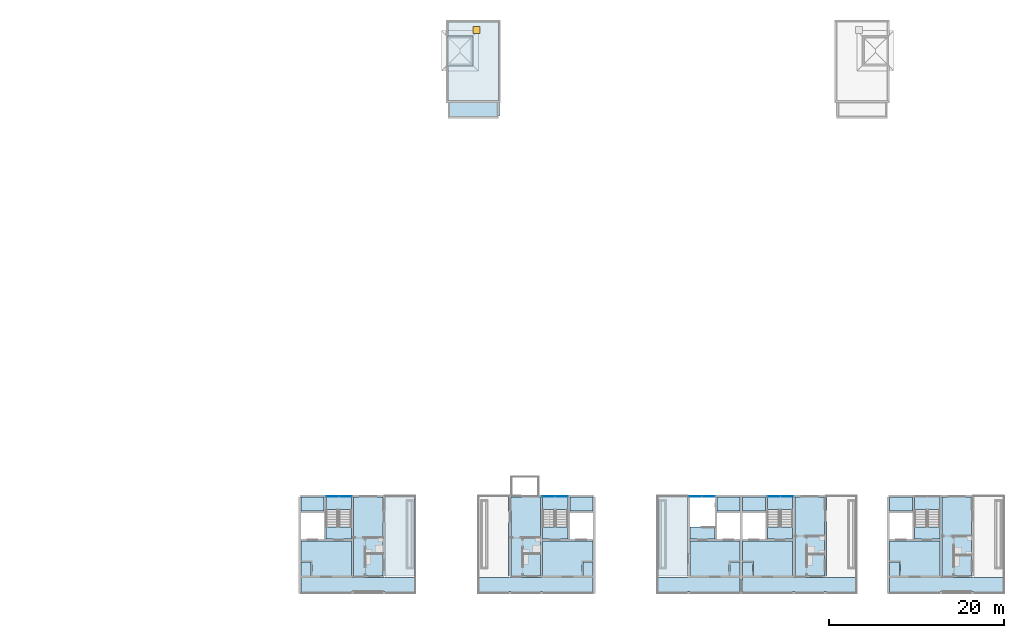
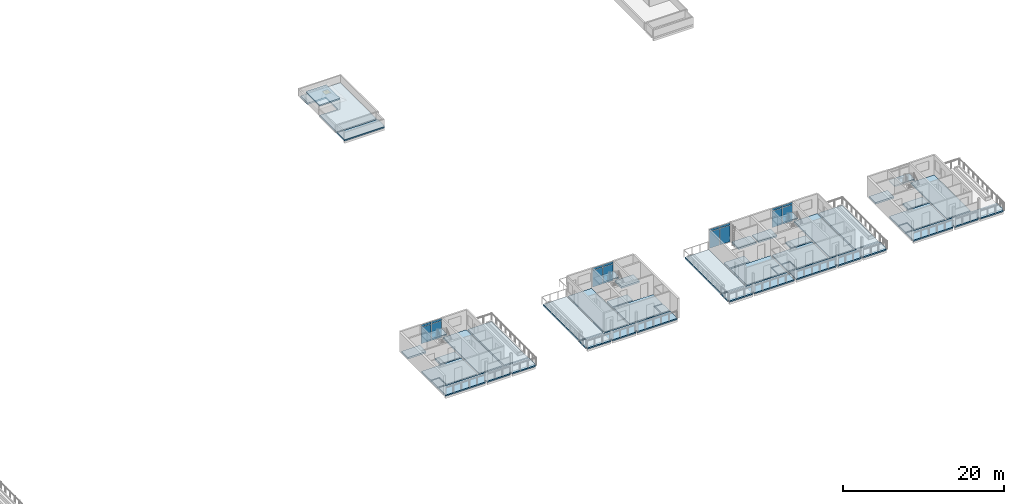
# One storey, part 16 of 41: 40 slabs, 16 plates, 1 door, 1 opening, 8 elements without a shape of their own.
"""IFC4 building model written with IfcOpenShell, lengths in metres."""

from ifc_helpers import new_model, si_unit, direction, frame, origin, origin_2d, place, context, subcontext, project, spatial, polyline, rectangle, outline, extrude, material, layer, layer_set, type_object, element, fill, aggregate, save


model = new_model("IFC4")

# Units and contexts
model_context = context("Model", 3, precision=1e-05, world=origin(), true_north=direction((0.0, 1.0)))
body_context = subcontext(model_context, "Body", "Model", "MODEL_VIEW")
ifc_project = project(units=[si_unit("LENGTHUNIT", "METRE"), si_unit("AREAUNIT", "SQUARE_METRE"), si_unit("VOLUMEUNIT", "CUBIC_METRE"), si_unit("PLANEANGLEUNIT", "RADIAN"), si_unit("MASSUNIT", "GRAM", prefix="KILO")], contexts=[model_context])

# Site, building, storey
site_placement = place(None, origin())
site = spatial("IfcSite", under=ifc_project, at=site_placement, CompositionType="ELEMENT")
building_placement = place(site_placement, origin())
building = spatial("IfcBuilding", under=site, at=building_placement, Name="Ridgestep Commons", CompositionType="ELEMENT")
storey_placement = place(building_placement, frame((0.0, 0.0, 39.0)))
storey = spatial("IfcBuildingStorey", under=building, at=storey_placement, Name="L13", CompositionType="ELEMENT", Elevation=39.0)

# Slabs
ifc_material_1 = material(Name="Precast concrete C40/50", Category="concrete")
ifc_layer_1 = layer(ifc_material_1, 0.199951171875)
ifc_layer_set_1 = layer_set([ifc_layer_1], Name="Gallery roof slab 200")
slab_type_1 = type_object("IfcSlabType", Name="Gallery roof slab 200", PredefinedType="ROOF", material=ifc_layer_set_1)
slab_1_placement = place(storey_placement, frame((0.0, 0.0, -0.199951171875)))
element("IfcSlab", 1, at=slab_1_placement, inside=storey, type_object=slab_type_1, Name="Gallery slab C3 L13", PredefinedType="ROOF", context=body_context, shape_type="SweptSolid", body=[
    extrude(outline(polyline([(180.550048828125, 66.0), (186.27490234375, 66.0), (186.27490234375, 66.25), (186.39990234375, 66.25), (186.39990234375, 67.800048828125), (180.550048828125, 67.800048828125), (180.550048828125, 66.0)])), origin(), (0.0, 0.0, 1.0), 0.199951171875),
])
ifc_material_2 = material(Name="Precast concrete C40/50", Category="concrete")
ifc_layer_2 = layer(ifc_material_2, 0.199951171875)
ifc_layer_set_2 = layer_set([ifc_layer_2], Name="Gallery slab 200")
slab_type_2 = type_object("IfcSlabType", Name="Gallery slab 200", PredefinedType="FLOOR", material=ifc_layer_set_2)
slab_2_placement = place(storey_placement, frame((0.0, 0.0, -0.199951171875)))
element("IfcSlab", 2, at=slab_2_placement, inside=storey, type_object=slab_type_2, Name="Gallery slab D2 L13", PredefinedType="FLOOR", context=body_context, shape_type="SweptSolid", body=[
    extrude(outline(polyline([(176.800048828125, 13.550048828125), (163.75, 13.550048828125), (163.75, 11.75), (169.47509765625, 11.75), (169.47509765625, 12.0), (169.72509765625, 12.0), (169.72509765625, 11.75), (173.074951171875, 11.75), (173.074951171875, 12.0), (173.324951171875, 12.0), (173.324951171875, 11.75), (176.675048828125, 11.75), (176.675048828125, 12.0), (176.800048828125, 12.0), (176.800048828125, 13.550048828125)])), origin(), (0.0, 0.0, 1.0), 0.199951171875),
])
slab_3_placement = place(storey_placement, frame((0.0, 0.0, -0.199951171875)))
element("IfcSlab", 3, at=slab_3_placement, inside=storey, type_object=slab_type_2, Name="Gallery slab D3 L13", PredefinedType="FLOOR", context=body_context, shape_type="SweptSolid", body=[
    extrude(outline(polyline([(197.050048828125, 11.75), (197.050048828125, 13.550048828125), (184.0, 13.550048828125), (184.0, 12.0), (184.125, 12.0), (184.125, 11.75), (187.47509765625, 11.75), (187.47509765625, 12.0), (187.72509765625, 12.0), (187.72509765625, 11.75), (191.074951171875, 11.75), (191.074951171875, 12.0), (191.324951171875, 12.0), (191.324951171875, 11.75), (197.050048828125, 11.75)])), origin(), (0.0, 0.0, 1.0), 0.199951171875),
])
slab_4_placement = place(storey_placement, frame((0.0, 0.0, -0.199951171875)))
element("IfcSlab", 4, at=slab_4_placement, inside=storey, type_object=slab_type_2, Name="Gallery slab D4 L13", PredefinedType="FLOOR", context=body_context, shape_type="SweptSolid", body=[
    extrude(outline(polyline([(213.85009765625, 13.550048828125), (204.39990234375, 13.550048828125), (204.39990234375, 12.0), (204.52490234375, 12.0), (204.52490234375, 11.75), (207.875, 11.75), (207.875, 12.0), (208.125, 12.0), (208.125, 11.75), (213.85009765625, 11.75), (213.85009765625, 13.550048828125)])), origin(), (0.0, 0.0, 1.0), 0.199951171875),
])
slab_5_placement = place(storey_placement, frame((0.0, 0.0, -0.199951171875)))
element("IfcSlab", 5, at=slab_5_placement, inside=storey, type_object=slab_type_2, Name="Gallery slab D5 L13", PredefinedType="FLOOR", context=body_context, shape_type="SweptSolid", body=[
    extrude(outline(polyline([(227.199951171875, 13.550048828125), (214.14990234375, 13.550048828125), (214.14990234375, 11.75), (219.875, 11.75), (219.875, 12.0), (220.125, 12.0), (220.125, 11.75), (223.47509765625, 11.75), (223.47509765625, 12.0), (223.72509765625, 12.0), (223.72509765625, 11.75), (227.074951171875, 11.75), (227.074951171875, 12.0), (227.199951171875, 12.0), (227.199951171875, 13.550048828125)])), origin(), (0.0, 0.0, 1.0), 0.199951171875),
])
slab_6_placement = place(storey_placement, frame((0.0, 0.0, -0.199951171875)))
element("IfcSlab", 6, at=slab_6_placement, inside=storey, type_object=slab_type_2, Name="Gallery slab D6 L13", PredefinedType="FLOOR", context=body_context, shape_type="SweptSolid", body=[
    extrude(outline(polyline([(244.0, 13.550048828125), (230.949951171875, 13.550048828125), (230.949951171875, 11.75), (236.675048828125, 11.75), (236.675048828125, 12.0), (236.925048828125, 12.0), (236.925048828125, 11.75), (240.27490234375, 11.75), (240.27490234375, 12.0), (240.52490234375, 12.0), (240.52490234375, 11.75), (243.875, 11.75), (243.875, 12.0), (244.0, 12.0), (244.0, 13.550048828125)])), origin(), (0.0, 0.0, 1.0), 0.199951171875),
])

# Curtain wall, plates
ifc_material_3 = material(Name="Aluminium 6063-T6 and glass", Category="aluminium")
curtain_wall_type = type_object("IfcCurtainWallType", Name="Curtain wall stair strip", PredefinedType="NOTDEFINED", material=ifc_material_3)
curtain_wall_1_placement = place(storey_placement, origin())
curtain_wall_1 = element("IfcCurtainWall", 7, at=curtain_wall_1_placement, inside=storey, type_object=curtain_wall_type, Name="Curtain wall D2C level 13", PredefinedType="NOTDEFINED")
ifc_material_4 = material(Name="Glass laminated 6/16/6 low-emissivity", Category="glass")
ifc_layer_3 = layer(ifc_material_4, 0.028076171875)
ifc_layer_set_3 = layer_set([ifc_layer_3], Name="Glazing panel 28")
plate_type_1 = type_object("IfcPlateType", Name="Glazing panel 28", PredefinedType="CURTAIN_PANEL", material=ifc_layer_set_3)
plate_1_placement = place(storey_placement, frame((167.34619140625, 22.830078125, 0.06005859375), z_axis=(0.0, 0.0, 1.0), x_axis=(1.0, 0.0, 0.0)))
plate_1 = element("IfcPlate", 8, at=plate_1_placement, type_object=plate_type_1, Name="CW1 panel 1.1", PredefinedType="CURTAIN_PANEL", context=body_context, shape_type="SweptSolid", body=[
    extrude(rectangle(XDim=1.422607421875, YDim=0.028076171875, at=origin_2d()), origin(), (0.0, 0.0, 1.0), 2.5),
])
plate_2_placement = place(storey_placement, frame((168.828857421875, 22.830078125, 0.06005859375), z_axis=(0.0, 0.0, 1.0), x_axis=(1.0, 0.0, 0.0)))
plate_2 = element("IfcPlate", 9, at=plate_2_placement, type_object=plate_type_1, Name="CW1 panel 2.1", PredefinedType="CURTAIN_PANEL", context=body_context, shape_type="SweptSolid", body=[
    extrude(rectangle(XDim=1.422607421875, YDim=0.028076171875, at=origin_2d()), origin(), (0.0, 0.0, 1.0), 2.5),
])

curtain_wall_2_placement = place(storey_placement, origin())
curtain_wall_2 = element("IfcCurtainWall", 10, at=curtain_wall_2_placement, inside=storey, type_object=curtain_wall_type, Name="Curtain wall D3C level 13", PredefinedType="NOTDEFINED")
plate_3_placement = place(storey_placement, frame((191.97119140625, 22.830078125, 0.06005859375), z_axis=(0.0, 0.0, 1.0), x_axis=(1.0, 0.0, 0.0)))
plate_3 = element("IfcPlate", 11, at=plate_3_placement, type_object=plate_type_1, Name="CW1 panel 1.1", PredefinedType="CURTAIN_PANEL", context=body_context, shape_type="SweptSolid", body=[
    extrude(rectangle(XDim=1.422607421875, YDim=0.028076171875, at=origin_2d()), origin(), (0.0, 0.0, 1.0), 2.5),
])
plate_4_placement = place(storey_placement, frame((193.453857421875, 22.830078125, 0.06005859375), z_axis=(0.0, 0.0, 1.0), x_axis=(1.0, 0.0, 0.0)))
plate_4 = element("IfcPlate", 12, at=plate_4_placement, type_object=plate_type_1, Name="CW1 panel 2.1", PredefinedType="CURTAIN_PANEL", context=body_context, shape_type="SweptSolid", body=[
    extrude(rectangle(XDim=1.422607421875, YDim=0.028076171875, at=origin_2d()), origin(), (0.0, 0.0, 1.0), 2.5),
])

curtain_wall_3_placement = place(storey_placement, origin())
curtain_wall_3 = element("IfcCurtainWall", 13, at=curtain_wall_3_placement, inside=storey, type_object=curtain_wall_type, Name="Curtain wall D4C level 13", PredefinedType="NOTDEFINED")
plate_5_placement = place(storey_placement, frame((208.771240234375, 22.830078125, 0.06005859375), z_axis=(0.0, 0.0, 1.0), x_axis=(1.0, 0.0, 0.0)))
plate_5 = element("IfcPlate", 14, at=plate_5_placement, type_object=plate_type_1, Name="CW1 panel 1.1", PredefinedType="CURTAIN_PANEL", context=body_context, shape_type="SweptSolid", body=[
    extrude(rectangle(XDim=1.422607421875, YDim=0.028076171875, at=origin_2d()), origin(), (0.0, 0.0, 1.0), 2.5),
])
plate_6_placement = place(storey_placement, frame((210.253662109375, 22.830078125, 0.06005859375), z_axis=(0.0, 0.0, 1.0), x_axis=(1.0, 0.0, 0.0)))
plate_6 = element("IfcPlate", 15, at=plate_6_placement, type_object=plate_type_1, Name="CW1 panel 2.1", PredefinedType="CURTAIN_PANEL", context=body_context, shape_type="SweptSolid", body=[
    extrude(rectangle(XDim=1.422607421875, YDim=0.028076171875, at=origin_2d()), origin(), (0.0, 0.0, 1.0), 2.5),
])

curtain_wall_4_placement = place(storey_placement, origin())
curtain_wall_4 = element("IfcCurtainWall", 16, at=curtain_wall_4_placement, inside=storey, type_object=curtain_wall_type, Name="Curtain wall D5C level 13", PredefinedType="NOTDEFINED")
plate_7_placement = place(storey_placement, frame((217.746337890625, 22.830078125, 0.06005859375), z_axis=(0.0, 0.0, 1.0), x_axis=(1.0, 0.0, 0.0)))
plate_7 = element("IfcPlate", 17, at=plate_7_placement, type_object=plate_type_1, Name="CW1 panel 1.1", PredefinedType="CURTAIN_PANEL", context=body_context, shape_type="SweptSolid", body=[
    extrude(rectangle(XDim=1.422607421875, YDim=0.028076171875, at=origin_2d()), origin(), (0.0, 0.0, 1.0), 2.5),
])
plate_8_placement = place(storey_placement, frame((219.228759765625, 22.830078125, 0.06005859375), z_axis=(0.0, 0.0, 1.0), x_axis=(1.0, 0.0, 0.0)))
plate_8 = element("IfcPlate", 18, at=plate_8_placement, type_object=plate_type_1, Name="CW1 panel 2.1", PredefinedType="CURTAIN_PANEL", context=body_context, shape_type="SweptSolid", body=[
    extrude(rectangle(XDim=1.422607421875, YDim=0.028076171875, at=origin_2d()), origin(), (0.0, 0.0, 1.0), 2.5),
])

# Slabs
ifc_material_5 = material(Name="Precast concrete C50/60", Category="concrete")
ifc_layer_4 = layer(ifc_material_5, 0.199951171875)
ifc_layer_set_4 = layer_set([ifc_layer_4], Name="Hollow-core plank 200")
slab_type_3 = type_object("IfcSlabType", Name="Hollow-core plank 200", PredefinedType="FLOOR", material=ifc_layer_set_4)
slab_7_placement = place(storey_placement, frame((0.0, 0.0, -0.199951171875)))
element("IfcSlab", 19, at=slab_7_placement, inside=storey, type_object=slab_type_3, Name="Floor plank D2T3 L13", PredefinedType="FLOOR", context=body_context, shape_type="SweptSolid", body=[
    extrude(outline(polyline([(173.10009765625, 13.75), (173.10009765625, 22.75), (169.72509765625, 22.75), (169.72509765625, 13.75), (173.10009765625, 13.75)])), origin(), (0.0, 0.0, 1.0), 0.199951171875),
])
slab_8_placement = place(storey_placement, frame((0.0, 0.0, -0.199951171875)))
element("IfcSlab", 20, at=slab_8_placement, inside=storey, type_object=slab_type_3, Name="Floor plank D3T3 L13", PredefinedType="FLOOR", context=body_context, shape_type="SweptSolid", body=[
    extrude(outline(polyline([(191.074951171875, 13.75), (191.074951171875, 22.75), (187.699951171875, 22.75), (187.699951171875, 13.75), (191.074951171875, 13.75)])), origin(), (0.0, 0.0, 1.0), 0.199951171875),
])
slab_9_placement = place(storey_placement, frame((0.0, 0.0, -0.199951171875)))
element("IfcSlab", 21, at=slab_9_placement, inside=storey, type_object=slab_type_3, Name="Floor plank D5T3 L13", PredefinedType="FLOOR", context=body_context, shape_type="SweptSolid", body=[
    extrude(outline(polyline([(223.5, 13.75), (223.5, 22.75), (220.125, 22.75), (220.125, 13.75), (223.5, 13.75)])), origin(), (0.0, 0.0, 1.0), 0.199951171875),
])
slab_10_placement = place(storey_placement, frame((0.0, 0.0, -0.199951171875)))
element("IfcSlab", 22, at=slab_10_placement, inside=storey, type_object=slab_type_3, Name="Floor plank D6T3 L13", PredefinedType="FLOOR", context=body_context, shape_type="SweptSolid", body=[
    extrude(outline(polyline([(240.300048828125, 13.75), (240.300048828125, 22.75), (236.925048828125, 22.75), (236.925048828125, 13.75), (240.300048828125, 13.75)])), origin(), (0.0, 0.0, 1.0), 0.199951171875),
])
ifc_material_6 = material(Name="Precast concrete C50/60", Category="concrete")
ifc_layer_5 = layer(ifc_material_6, 0.25)
ifc_layer_set_5 = layer_set([ifc_layer_5], Name="Hollow-core plank 250")
slab_type_4 = type_object("IfcSlabType", Name="Hollow-core plank 250", PredefinedType="FLOOR", material=ifc_layer_set_5)
slab_11_placement = place(storey_placement, frame((0.0, 0.0, -0.25)))
element("IfcSlab", 23, at=slab_11_placement, inside=storey, type_object=slab_type_4, Name="Floor plank D2C L13", PredefinedType="FLOOR", context=body_context, shape_type="SweptSolid", body=[
    extrude(outline(polyline([(165.0, 13.75), (169.47509765625, 13.75), (169.47509765625, 17.75), (163.75, 17.75), (163.75, 15.469970703125), (164.8798828125, 15.469970703125), (165.0, 15.469970703125), (165.0, 13.75)])), origin(), (0.0, 0.0, 1.0), 0.25),
])
slab_12_placement = place(storey_placement, frame((0.0, 0.0, -0.25)))
element("IfcSlab", 24, at=slab_12_placement, inside=storey, type_object=slab_type_4, Name="Floor plank D2C L13", PredefinedType="FLOOR", context=body_context, shape_type="SweptSolid", body=[
    extrude(outline(polyline([(166.375, 22.75), (163.75, 22.75), (163.75, 21.14990234375), (166.375, 21.14990234375), (166.375, 22.75)])), origin(), (0.0, 0.0, 1.0), 0.25),
])
slab_13_placement = place(storey_placement, frame((0.0, 0.0, -0.25)))
element("IfcSlab", 25, at=slab_13_placement, inside=storey, type_object=slab_type_4, Name="Floor plank D2C L13", PredefinedType="FLOOR", context=body_context, shape_type="SweptSolid", body=[
    extrude(outline(polyline([(169.47509765625, 17.949951171875), (169.47509765625, 19.35009765625), (166.574951171875, 19.35009765625), (166.574951171875, 17.949951171875), (169.47509765625, 17.949951171875)])), origin(), (0.0, 0.0, 1.0), 0.25),
])
slab_14_placement = place(storey_placement, frame((0.0, 0.0, -0.25)))
element("IfcSlab", 26, at=slab_14_placement, inside=storey, type_object=slab_type_4, Name="Floor plank D2C L13", PredefinedType="FLOOR", context=body_context, shape_type="SweptSolid", body=[
    extrude(outline(polyline([(164.8798828125, 15.35009765625), (163.75, 15.35009765625), (163.75, 13.75), (164.8798828125, 13.75), (164.8798828125, 15.35009765625)])), origin(), (0.0, 0.0, 1.0), 0.25),
])
slab_15_placement = place(storey_placement, frame((0.0, 0.0, -0.25)))
element("IfcSlab", 27, at=slab_15_placement, inside=storey, type_object=slab_type_4, Name="Floor plank D3C L13", PredefinedType="FLOOR", context=body_context, shape_type="SweptSolid", body=[
    extrude(outline(polyline([(195.919921875, 15.469970703125), (197.050048828125, 15.469970703125), (197.050048828125, 17.75), (191.324951171875, 17.75), (191.324951171875, 13.75), (195.800048828125, 13.75), (195.800048828125, 15.469970703125), (195.919921875, 15.469970703125)])), origin(), (0.0, 0.0, 1.0), 0.25),
])
slab_16_placement = place(storey_placement, frame((0.0, 0.0, -0.25)))
element("IfcSlab", 28, at=slab_16_placement, inside=storey, type_object=slab_type_4, Name="Floor plank D3C L13", PredefinedType="FLOOR", context=body_context, shape_type="SweptSolid", body=[
    extrude(outline(polyline([(197.050048828125, 21.14990234375), (197.050048828125, 22.75), (194.425048828125, 22.75), (194.425048828125, 21.14990234375), (197.050048828125, 21.14990234375)])), origin(), (0.0, 0.0, 1.0), 0.25),
])
slab_17_placement = place(storey_placement, frame((0.0, 0.0, -0.25)))
element("IfcSlab", 29, at=slab_17_placement, inside=storey, type_object=slab_type_4, Name="Floor plank D3C L13", PredefinedType="FLOOR", context=body_context, shape_type="SweptSolid", body=[
    extrude(outline(polyline([(194.22509765625, 17.949951171875), (194.22509765625, 19.35009765625), (191.324951171875, 19.35009765625), (191.324951171875, 17.949951171875), (194.22509765625, 17.949951171875)])), origin(), (0.0, 0.0, 1.0), 0.25),
])
slab_18_placement = place(storey_placement, frame((0.0, 0.0, -0.25)))
element("IfcSlab", 30, at=slab_18_placement, inside=storey, type_object=slab_type_4, Name="Floor plank D3C L13", PredefinedType="FLOOR", context=body_context, shape_type="SweptSolid", body=[
    extrude(outline(polyline([(195.919921875, 13.75), (197.050048828125, 13.75), (197.050048828125, 15.35009765625), (195.919921875, 15.35009765625), (195.919921875, 13.75)])), origin(), (0.0, 0.0, 1.0), 0.25),
])
slab_19_placement = place(storey_placement, frame((0.0, 0.0, -0.25)))
element("IfcSlab", 31, at=slab_19_placement, inside=storey, type_object=slab_type_4, Name="Floor plank D4C L13", PredefinedType="FLOOR", context=body_context, shape_type="SweptSolid", body=[
    extrude(outline(polyline([(212.719970703125, 15.469970703125), (213.85009765625, 15.469970703125), (213.85009765625, 17.75), (208.125, 17.75), (208.125, 13.75), (212.60009765625, 13.75), (212.60009765625, 15.469970703125), (212.719970703125, 15.469970703125)])), origin(), (0.0, 0.0, 1.0), 0.25),
])
slab_20_placement = place(storey_placement, frame((0.0, 0.0, -0.25)))
element("IfcSlab", 32, at=slab_20_placement, inside=storey, type_object=slab_type_4, Name="Floor plank D4C L13", PredefinedType="FLOOR", context=body_context, shape_type="SweptSolid", body=[
    extrude(outline(polyline([(213.85009765625, 21.14990234375), (213.85009765625, 22.75), (211.22509765625, 22.75), (211.22509765625, 21.14990234375), (213.85009765625, 21.14990234375)])), origin(), (0.0, 0.0, 1.0), 0.25),
])
slab_21_placement = place(storey_placement, frame((0.0, 0.0, -0.25)))
element("IfcSlab", 33, at=slab_21_placement, inside=storey, type_object=slab_type_4, Name="Floor plank D4C L13", PredefinedType="FLOOR", context=body_context, shape_type="SweptSolid", body=[
    extrude(outline(polyline([(211.02490234375, 17.949951171875), (211.02490234375, 19.35009765625), (208.125, 19.35009765625), (208.125, 17.949951171875), (211.02490234375, 17.949951171875)])), origin(), (0.0, 0.0, 1.0), 0.25),
])
slab_22_placement = place(storey_placement, frame((0.0, 0.0, -0.25)))
element("IfcSlab", 34, at=slab_22_placement, inside=storey, type_object=slab_type_4, Name="Floor plank D4C L13", PredefinedType="FLOOR", context=body_context, shape_type="SweptSolid", body=[
    extrude(outline(polyline([(212.719970703125, 13.75), (213.85009765625, 13.75), (213.85009765625, 15.35009765625), (212.719970703125, 15.35009765625), (212.719970703125, 13.75)])), origin(), (0.0, 0.0, 1.0), 0.25),
])
slab_23_placement = place(storey_placement, frame((0.0, 0.0, -0.25)))
element("IfcSlab", 35, at=slab_23_placement, inside=storey, type_object=slab_type_4, Name="Floor plank D5C L13", PredefinedType="FLOOR", context=body_context, shape_type="SweptSolid", body=[
    extrude(outline(polyline([(215.39990234375, 13.75), (219.875, 13.75), (219.875, 17.75), (214.14990234375, 17.75), (214.14990234375, 15.469970703125), (215.280029296875, 15.469970703125), (215.39990234375, 15.469970703125), (215.39990234375, 13.75)])), origin(), (0.0, 0.0, 1.0), 0.25),
])
slab_24_placement = place(storey_placement, frame((0.0, 0.0, -0.25)))
element("IfcSlab", 36, at=slab_24_placement, inside=storey, type_object=slab_type_4, Name="Floor plank D5C L13", PredefinedType="FLOOR", context=body_context, shape_type="SweptSolid", body=[
    extrude(outline(polyline([(216.77490234375, 22.75), (214.14990234375, 22.75), (214.14990234375, 21.14990234375), (216.77490234375, 21.14990234375), (216.77490234375, 22.75)])), origin(), (0.0, 0.0, 1.0), 0.25),
])
slab_25_placement = place(storey_placement, frame((0.0, 0.0, -0.25)))
element("IfcSlab", 37, at=slab_25_placement, inside=storey, type_object=slab_type_4, Name="Floor plank D5C L13", PredefinedType="FLOOR", context=body_context, shape_type="SweptSolid", body=[
    extrude(outline(polyline([(219.875, 17.949951171875), (219.875, 19.35009765625), (216.97509765625, 19.35009765625), (216.97509765625, 17.949951171875), (219.875, 17.949951171875)])), origin(), (0.0, 0.0, 1.0), 0.25),
])
slab_26_placement = place(storey_placement, frame((0.0, 0.0, -0.25)))
element("IfcSlab", 38, at=slab_26_placement, inside=storey, type_object=slab_type_4, Name="Floor plank D5C L13", PredefinedType="FLOOR", context=body_context, shape_type="SweptSolid", body=[
    extrude(outline(polyline([(215.280029296875, 15.35009765625), (214.14990234375, 15.35009765625), (214.14990234375, 13.75), (215.280029296875, 13.75), (215.280029296875, 15.35009765625)])), origin(), (0.0, 0.0, 1.0), 0.25),
])
slab_27_placement = place(storey_placement, frame((0.0, 0.0, -0.25)))
element("IfcSlab", 39, at=slab_27_placement, inside=storey, type_object=slab_type_4, Name="Floor plank D6C L13", PredefinedType="FLOOR", context=body_context, shape_type="SweptSolid", body=[
    extrude(outline(polyline([(232.199951171875, 13.75), (236.675048828125, 13.75), (236.675048828125, 17.75), (230.949951171875, 17.75), (230.949951171875, 15.469970703125), (232.080078125, 15.469970703125), (232.199951171875, 15.469970703125), (232.199951171875, 13.75)])), origin(), (0.0, 0.0, 1.0), 0.25),
])
slab_28_placement = place(storey_placement, frame((0.0, 0.0, -0.25)))
element("IfcSlab", 40, at=slab_28_placement, inside=storey, type_object=slab_type_4, Name="Floor plank D6C L13", PredefinedType="FLOOR", context=body_context, shape_type="SweptSolid", body=[
    extrude(outline(polyline([(233.574951171875, 22.75), (230.949951171875, 22.75), (230.949951171875, 21.14990234375), (233.574951171875, 21.14990234375), (233.574951171875, 22.75)])), origin(), (0.0, 0.0, 1.0), 0.25),
])
slab_29_placement = place(storey_placement, frame((0.0, 0.0, -0.25)))
element("IfcSlab", 41, at=slab_29_placement, inside=storey, type_object=slab_type_4, Name="Floor plank D6C L13", PredefinedType="FLOOR", context=body_context, shape_type="SweptSolid", body=[
    extrude(outline(polyline([(236.675048828125, 17.949951171875), (236.675048828125, 19.35009765625), (233.77490234375, 19.35009765625), (233.77490234375, 17.949951171875), (236.675048828125, 17.949951171875)])), origin(), (0.0, 0.0, 1.0), 0.25),
])
slab_30_placement = place(storey_placement, frame((0.0, 0.0, -0.25)))
element("IfcSlab", 42, at=slab_30_placement, inside=storey, type_object=slab_type_4, Name="Floor plank D6C L13", PredefinedType="FLOOR", context=body_context, shape_type="SweptSolid", body=[
    extrude(outline(polyline([(232.080078125, 15.35009765625), (230.949951171875, 15.35009765625), (230.949951171875, 13.75), (232.080078125, 13.75), (232.080078125, 15.35009765625)])), origin(), (0.0, 0.0, 1.0), 0.25),
])
ifc_material_7 = material(Name="Precast concrete C50/60", Category="concrete")
ifc_layer_6 = layer(ifc_material_7, 0.199951171875)
ifc_layer_set_6 = layer_set([ifc_layer_6], Name="Overrun roof 200")
slab_type_5 = type_object("IfcSlabType", Name="Overrun roof 200", PredefinedType="ROOF", material=ifc_layer_set_6)
slab_31_placement = place(storey_placement, frame((0.0, 0.0, 1.5)))
element("IfcSlab", 43, at=slab_31_placement, inside=storey, type_object=slab_type_5, Name="Lift overrun roof C3C", PredefinedType="ROOF", context=body_context, shape_type="SweptSolid", body=[
    extrude(outline(polyline([(183.375, 72.0), (183.375, 75.39990234375), (180.39990234375, 75.39990234375), (180.39990234375, 72.0), (183.375, 72.0)])), origin(), (0.0, 0.0, 1.0), 0.199951171875),
])

# Slab, opening, door
ifc_material_8 = material(Name="Precast concrete C50/60", Category="concrete")
ifc_layer_7 = layer(ifc_material_8, 0.25)
ifc_layer_set_7 = layer_set([ifc_layer_7], Name="Roof slab 250")
slab_type_6 = type_object("IfcSlabType", Name="Roof slab 250", PredefinedType="ROOF", material=ifc_layer_set_7)
slab_32_placement = place(storey_placement, frame((0.0, 0.0, -0.25)))
slab_32 = element("IfcSlab", 44, at=slab_32_placement, inside=storey, type_object=slab_type_6, Name="Roof slab C3C", PredefinedType="ROOF", context=body_context, shape_type="SweptSolid", body=[
    extrude(outline(polyline([(180.550048828125, 77.0), (180.550048828125, 75.199951171875), (183.175048828125, 75.199951171875), (183.175048828125, 72.199951171875), (180.550048828125, 72.199951171875), (180.550048828125, 68.0), (186.27490234375, 68.0), (186.27490234375, 77.0), (180.550048828125, 77.0)])), origin(), (0.0, 0.0, 1.0), 0.25),
])
opening_placement = place(slab_32_placement, frame((183.77490234375, 76.10009765625, 0.0)))
opening = element("IfcOpeningElement", 45, at=opening_placement, cuts=slab_32, Name="Opening C3C/RF/1", PredefinedType="OPENING", context=body_context, shape_type="SweptSolid", body=[
    extrude(rectangle(XDim=0.800048828125, YDim=0.800048828125, at=origin_2d()), origin(), (0.0, 0.0, 1.0), 0.25),
])
ifc_material_9 = material(Name="Steel", Category="steel")
door_type = type_object("IfcDoorType", Name="Ladder roof hatch 800 x 800", OperationType="SINGLE_SWING_LEFT", PredefinedType="TRAPDOOR", material=ifc_material_9)
door_placement = place(opening_placement, frame((0.0, 0.0, 0.199951171875)))
door = element("IfcDoor", 46, at=door_placement, inside=storey, type_object=door_type, Name="Roof hatch C3C", OperationType="SINGLE_SWING_LEFT", OverallHeight=0.800048828125, OverallWidth=0.800048828125, PredefinedType="TRAPDOOR", context=body_context, shape_type="SweptSolid", body=[
    extrude(rectangle(XDim=0.800048828125, YDim=0.800048828125, at=origin_2d()), origin(), (0.0, 0.0, 1.0), 0.050048828125),
])
fill(opening, door)

# Slabs
slab_33_placement = place(storey_placement, frame((0.0, 0.0, -0.25)))
element("IfcSlab", 47, at=slab_33_placement, inside=storey, type_object=slab_type_6, Name="Terrace slab D2T2", PredefinedType="ROOF", context=body_context, shape_type="SweptSolid", body=[
    extrude(outline(polyline([(176.699951171875, 13.75), (176.699951171875, 22.75), (173.300048828125, 22.75), (173.300048828125, 13.75), (176.699951171875, 13.75)])), origin(), (0.0, 0.0, 1.0), 0.25),
])
slab_34_placement = place(storey_placement, frame((0.0, 0.0, -0.25)))
element("IfcSlab", 48, at=slab_34_placement, inside=storey, type_object=slab_type_6, Name="Terrace slab D3T2", PredefinedType="ROOF", context=body_context, shape_type="SweptSolid", body=[
    extrude(outline(polyline([(187.5, 13.75), (187.5, 22.75), (184.10009765625, 22.75), (184.10009765625, 13.75), (187.5, 13.75)])), origin(), (0.0, 0.0, 1.0), 0.25),
])
slab_35_placement = place(storey_placement, frame((0.0, 0.0, -0.25)))
element("IfcSlab", 49, at=slab_35_placement, inside=storey, type_object=slab_type_6, Name="Terrace slab D4T3", PredefinedType="ROOF", context=body_context, shape_type="SweptSolid", body=[
    extrude(outline(polyline([(207.875, 13.75), (207.875, 22.75), (204.5, 22.75), (204.5, 13.75), (207.875, 13.75)])), origin(), (0.0, 0.0, 1.0), 0.25),
])
slab_36_placement = place(storey_placement, frame((0.0, 0.0, -0.25)))
element("IfcSlab", 50, at=slab_36_placement, inside=storey, type_object=slab_type_6, Name="Terrace slab D5T2", PredefinedType="ROOF", context=body_context, shape_type="SweptSolid", body=[
    extrude(outline(polyline([(227.10009765625, 13.75), (227.10009765625, 22.75), (223.699951171875, 22.75), (223.699951171875, 13.75), (227.10009765625, 13.75)])), origin(), (0.0, 0.0, 1.0), 0.25),
])

# Plate
ifc_material_10 = material(Name="Aluminium 6063-T6 and mineral wool", Category="aluminium")
ifc_layer_8 = layer(ifc_material_10, 0.0400390625)
ifc_layer_set_8 = layer_set([ifc_layer_8], Name="Spandrel panel 40")
plate_type_2 = type_object("IfcPlateType", Name="Spandrel panel 40", PredefinedType="CURTAIN_PANEL", material=ifc_layer_set_8)
plate_9_placement = place(storey_placement, frame((167.34619140625, 22.830078125, 2.6201171875), z_axis=(0.0, 0.0, 1.0), x_axis=(1.0, 0.0, 0.0)))
plate_9 = element("IfcPlate", 51, at=plate_9_placement, type_object=plate_type_2, Name="CW1 panel 1.2", PredefinedType="CURTAIN_PANEL", context=body_context, shape_type="SweptSolid", body=[
    extrude(rectangle(XDim=1.422607421875, YDim=0.0400390625, at=origin_2d()), origin(), (0.0, 0.0, 1.0), 0.320068359375),
])

plate_10_placement = place(storey_placement, frame((168.828857421875, 22.830078125, 2.6201171875), z_axis=(0.0, 0.0, 1.0), x_axis=(1.0, 0.0, 0.0)))
plate_10 = element("IfcPlate", 52, at=plate_10_placement, type_object=plate_type_2, Name="CW1 panel 2.2", PredefinedType="CURTAIN_PANEL", context=body_context, shape_type="SweptSolid", body=[
    extrude(rectangle(XDim=1.422607421875, YDim=0.0400390625, at=origin_2d()), origin(), (0.0, 0.0, 1.0), 0.320068359375),
])

aggregate(curtain_wall_1, [plate_1, plate_9, plate_2, plate_10])

plate_11_placement = place(storey_placement, frame((191.97119140625, 22.830078125, 2.6201171875), z_axis=(0.0, 0.0, 1.0), x_axis=(1.0, 0.0, 0.0)))
plate_11 = element("IfcPlate", 53, at=plate_11_placement, type_object=plate_type_2, Name="CW1 panel 1.2", PredefinedType="CURTAIN_PANEL", context=body_context, shape_type="SweptSolid", body=[
    extrude(rectangle(XDim=1.422607421875, YDim=0.0400390625, at=origin_2d()), origin(), (0.0, 0.0, 1.0), 0.320068359375),
])

plate_12_placement = place(storey_placement, frame((193.453857421875, 22.830078125, 2.6201171875), z_axis=(0.0, 0.0, 1.0), x_axis=(1.0, 0.0, 0.0)))
plate_12 = element("IfcPlate", 54, at=plate_12_placement, type_object=plate_type_2, Name="CW1 panel 2.2", PredefinedType="CURTAIN_PANEL", context=body_context, shape_type="SweptSolid", body=[
    extrude(rectangle(XDim=1.422607421875, YDim=0.0400390625, at=origin_2d()), origin(), (0.0, 0.0, 1.0), 0.320068359375),
])

aggregate(curtain_wall_2, [plate_3, plate_11, plate_4, plate_12])

plate_13_placement = place(storey_placement, frame((208.771240234375, 22.830078125, 2.6201171875), z_axis=(0.0, 0.0, 1.0), x_axis=(1.0, 0.0, 0.0)))
plate_13 = element("IfcPlate", 55, at=plate_13_placement, type_object=plate_type_2, Name="CW1 panel 1.2", PredefinedType="CURTAIN_PANEL", context=body_context, shape_type="SweptSolid", body=[
    extrude(rectangle(XDim=1.422607421875, YDim=0.0400390625, at=origin_2d()), origin(), (0.0, 0.0, 1.0), 0.320068359375),
])

plate_14_placement = place(storey_placement, frame((210.253662109375, 22.830078125, 2.6201171875), z_axis=(0.0, 0.0, 1.0), x_axis=(1.0, 0.0, 0.0)))
plate_14 = element("IfcPlate", 56, at=plate_14_placement, type_object=plate_type_2, Name="CW1 panel 2.2", PredefinedType="CURTAIN_PANEL", context=body_context, shape_type="SweptSolid", body=[
    extrude(rectangle(XDim=1.422607421875, YDim=0.0400390625, at=origin_2d()), origin(), (0.0, 0.0, 1.0), 0.320068359375),
])

aggregate(curtain_wall_3, [plate_5, plate_13, plate_6, plate_14])

plate_15_placement = place(storey_placement, frame((217.746337890625, 22.830078125, 2.6201171875), z_axis=(0.0, 0.0, 1.0), x_axis=(1.0, 0.0, 0.0)))
plate_15 = element("IfcPlate", 57, at=plate_15_placement, type_object=plate_type_2, Name="CW1 panel 1.2", PredefinedType="CURTAIN_PANEL", context=body_context, shape_type="SweptSolid", body=[
    extrude(rectangle(XDim=1.422607421875, YDim=0.0400390625, at=origin_2d()), origin(), (0.0, 0.0, 1.0), 0.320068359375),
])

plate_16_placement = place(storey_placement, frame((219.228759765625, 22.830078125, 2.6201171875), z_axis=(0.0, 0.0, 1.0), x_axis=(1.0, 0.0, 0.0)))
plate_16 = element("IfcPlate", 58, at=plate_16_placement, type_object=plate_type_2, Name="CW1 panel 2.2", PredefinedType="CURTAIN_PANEL", context=body_context, shape_type="SweptSolid", body=[
    extrude(rectangle(XDim=1.422607421875, YDim=0.0400390625, at=origin_2d()), origin(), (0.0, 0.0, 1.0), 0.320068359375),
])

aggregate(curtain_wall_4, [plate_7, plate_15, plate_8, plate_16])

# Stair, slab
ifc_material_11 = material(Name="Precast concrete C40/50", Category="concrete")
stair_type = type_object("IfcStairType", Name="Escape stair 1400", PredefinedType="HALF_TURN_STAIR", material=ifc_material_11)
stair_1_placement = place(storey_placement, origin())
stair_1 = element("IfcStair", 59, at=stair_1_placement, inside=storey, type_object=stair_type, Name="L13 Escape stair D2C", PredefinedType="HALF_TURN_STAIR")
ifc_material_12 = material(Name="Precast concrete C40/50", Category="concrete")
ifc_layer_9 = layer(ifc_material_12, 0.199951171875)
ifc_layer_set_9 = layer_set([ifc_layer_9], Name="Stair landing 200")
slab_type_7 = type_object("IfcSlabType", Name="Stair landing 200", PredefinedType="LANDING", material=ifc_layer_set_9)
slab_37_placement = place(storey_placement, frame((0.0, 0.0, 1.300048828125)))
slab_37 = element("IfcSlab", 60, at=slab_37_placement, type_object=slab_type_7, Name="D2C landing 1", PredefinedType="LANDING", context=body_context, shape_type="SweptSolid", body=[
    extrude(outline(polyline([(169.47509765625, 21.31005859375), (169.47509765625, 22.75), (166.574951171875, 22.75), (166.574951171875, 21.31005859375), (169.47509765625, 21.31005859375)])), origin(), (0.0, 0.0, 1.0), 0.199951171875),
])
aggregate(stair_1, [slab_37])

stair_2_placement = place(storey_placement, origin())
stair_2 = element("IfcStair", 61, at=stair_2_placement, inside=storey, type_object=stair_type, Name="L13 Escape stair D3C", PredefinedType="HALF_TURN_STAIR")
slab_38_placement = place(storey_placement, frame((0.0, 0.0, 1.300048828125)))
slab_38 = element("IfcSlab", 62, at=slab_38_placement, type_object=slab_type_7, Name="D3C landing 1", PredefinedType="LANDING", context=body_context, shape_type="SweptSolid", body=[
    extrude(outline(polyline([(194.22509765625, 21.31005859375), (194.22509765625, 22.75), (191.324951171875, 22.75), (191.324951171875, 21.31005859375), (194.22509765625, 21.31005859375)])), origin(), (0.0, 0.0, 1.0), 0.199951171875),
])
aggregate(stair_2, [slab_38])

stair_3_placement = place(storey_placement, origin())
stair_3 = element("IfcStair", 63, at=stair_3_placement, inside=storey, type_object=stair_type, Name="L13 Escape stair D5C", PredefinedType="HALF_TURN_STAIR")
slab_39_placement = place(storey_placement, frame((0.0, 0.0, 1.300048828125)))
slab_39 = element("IfcSlab", 64, at=slab_39_placement, type_object=slab_type_7, Name="D5C landing 1", PredefinedType="LANDING", context=body_context, shape_type="SweptSolid", body=[
    extrude(outline(polyline([(219.875, 21.31005859375), (219.875, 22.75), (216.97509765625, 22.75), (216.97509765625, 21.31005859375), (219.875, 21.31005859375)])), origin(), (0.0, 0.0, 1.0), 0.199951171875),
])
aggregate(stair_3, [slab_39])

stair_4_placement = place(storey_placement, origin())
stair_4 = element("IfcStair", 65, at=stair_4_placement, inside=storey, type_object=stair_type, Name="L13 Escape stair D6C", PredefinedType="HALF_TURN_STAIR")
slab_40_placement = place(storey_placement, frame((0.0, 0.0, 1.300048828125)))
slab_40 = element("IfcSlab", 66, at=slab_40_placement, type_object=slab_type_7, Name="D6C landing 1", PredefinedType="LANDING", context=body_context, shape_type="SweptSolid", body=[
    extrude(outline(polyline([(236.675048828125, 21.31005859375), (236.675048828125, 22.75), (233.77490234375, 22.75), (233.77490234375, 21.31005859375), (236.675048828125, 21.31005859375)])), origin(), (0.0, 0.0, 1.0), 0.199951171875),
])
aggregate(stair_4, [slab_40])

save(model, "model.ifc")
